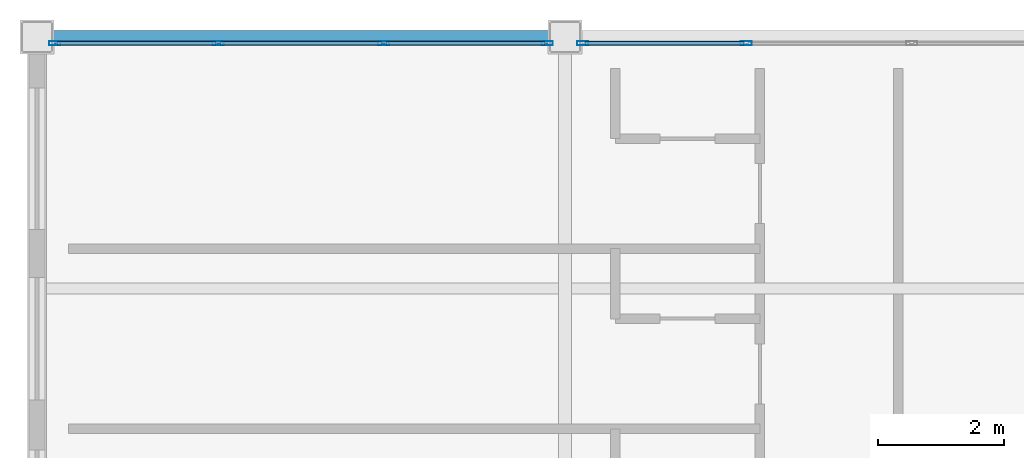
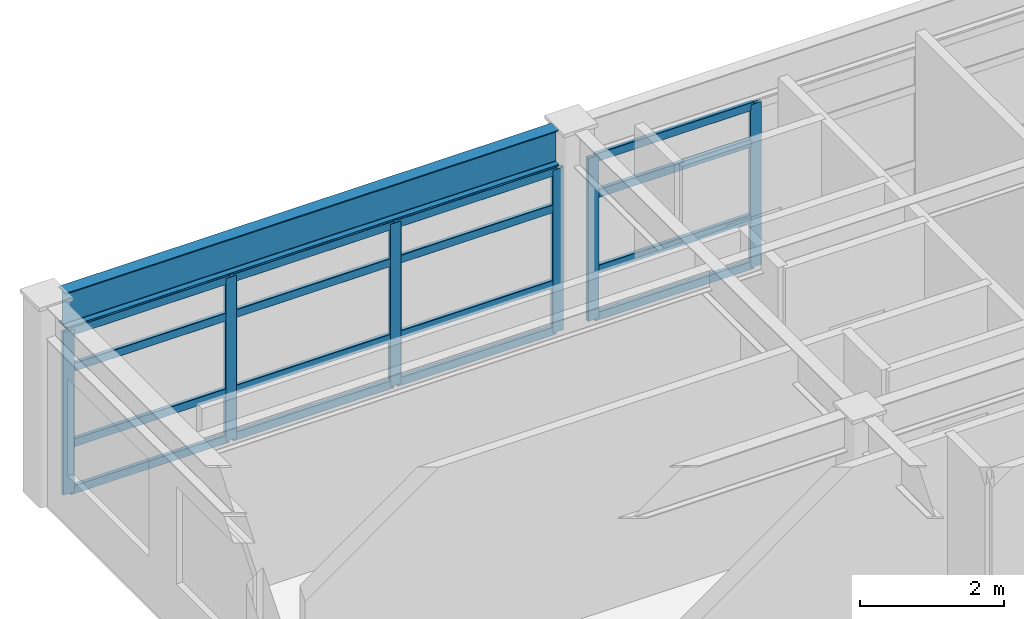
# One storey, part 18 of 33: 22 members, 1 beam, 2 elements without a shape of their own.
"""IFC4 building model written with IfcOpenShell, lengths in metres."""

from ifc_helpers import new_model, si_unit, direction, frame, origin, origin_2d, place, context, subcontext, project, spatial, hollow_rectangle, i_section, extrude, material, layer, layer_set, material_profile, profile_set, type_object, element, aggregate, save


model = new_model("IFC4")

# Units and contexts
model_context = context("Model", 3, precision=1e-05, world=origin(), true_north=direction((0.0, 1.0)))
body_context = subcontext(model_context, "Body", "Model", "MODEL_VIEW")
ifc_project = project(units=[si_unit("LENGTHUNIT", "METRE"), si_unit("AREAUNIT", "SQUARE_METRE"), si_unit("VOLUMEUNIT", "CUBIC_METRE"), si_unit("PLANEANGLEUNIT", "RADIAN"), si_unit("MASSUNIT", "GRAM", prefix="KILO")], contexts=[model_context])

# Site, building, storey
site_placement = place(None, origin())
site = spatial("IfcSite", under=ifc_project, at=site_placement, CompositionType="ELEMENT")
building_placement = place(site_placement, origin())
building = spatial("IfcBuilding", under=site, at=building_placement, Name="Kazehara Bluff Congress Hotel", CompositionType="ELEMENT")
storey_placement = place(building_placement, frame((0.0, 0.0, 39.0)))
storey = spatial("IfcBuildingStorey", under=building, at=storey_placement, Name="L09", CompositionType="ELEMENT", Elevation=39.0)

# Curtain wall, members
ifc_material_1 = material(Name="Anodised aluminium", Category="aluminium")
ifc_layer = layer(ifc_material_1, 0.159912109375)
ifc_layer_set = layer_set([ifc_layer], Name="Anodised aluminium")
curtain_wall_type = type_object("IfcCurtainWallType", Name="TP-CW-185", PredefinedType="NOTDEFINED", material=ifc_layer_set)
curtain_wall_1_placement = place(storey_placement, origin())
curtain_wall_1 = element("IfcCurtainWall", 1, at=curtain_wall_1_placement, inside=storey, type_object=curtain_wall_type, Name="L09 curtain wall CW-185 CW-ENC-V5-L09-14790-9680", PredefinedType="NOTDEFINED")
ifc_material_2 = material(Name="Anodised aluminium", Category="aluminium")
ifc_material_profile_1 = material_profile(ifc_material_2, hollow_rectangle(XDim=0.06494140625, YDim=0.179931640625, WallThickness=0.00390625, InnerFilletRadius=0.00390625, OuterFilletRadius=0.008056640625, at=origin_2d()))
ifc_profile_set_1 = profile_set([ifc_material_profile_1], Name="Anodised aluminium")
member_type_1 = type_object("IfcMemberType", Name="TP-CWM-02", PredefinedType="MULLION", material=ifc_profile_set_1)
member_1_placement = place(storey_placement, frame((143.982421875, 96.800048828125, 0.0), z_axis=(0.0, 0.0, 1.0), x_axis=(0.0, 1.0, 0.0)))
member_1 = element("IfcMember", 2, at=member_1_placement, type_object=member_type_1, Name="CW-185 mullion 1", PredefinedType="MULLION", context=body_context, shape_type="SweptSolid", body=[
    extrude(hollow_rectangle(XDim=0.06494140625, YDim=0.179931640625, WallThickness=0.00390625, InnerFilletRadius=0.00390625, OuterFilletRadius=0.008056640625, at=origin_2d()), origin(), (0.0, 0.0, 1.0), 2.7548828125),
])
member_2_placement = place(storey_placement, frame((146.583251953125, 96.800048828125, 0.0), z_axis=(0.0, 0.0, 1.0), x_axis=(0.0, 1.0, 0.0)))
member_2 = element("IfcMember", 3, at=member_2_placement, type_object=member_type_1, Name="CW-185 mullion 2", PredefinedType="MULLION", context=body_context, shape_type="SweptSolid", body=[
    extrude(hollow_rectangle(XDim=0.06494140625, YDim=0.179931640625, WallThickness=0.00390625, InnerFilletRadius=0.00390625, OuterFilletRadius=0.008056640625, at=origin_2d()), origin(), (0.0, 0.0, 1.0), 2.7548828125),
])
member_3_placement = place(storey_placement, frame((149.216552734375, 96.800048828125, 0.0), z_axis=(0.0, 0.0, 1.0), x_axis=(0.0, 1.0, 0.0)))
member_3 = element("IfcMember", 4, at=member_3_placement, type_object=member_type_1, Name="CW-185 mullion 3", PredefinedType="MULLION", context=body_context, shape_type="SweptSolid", body=[
    extrude(hollow_rectangle(XDim=0.06494140625, YDim=0.179931640625, WallThickness=0.00390625, InnerFilletRadius=0.00390625, OuterFilletRadius=0.008056640625, at=origin_2d()), origin(), (0.0, 0.0, 1.0), 2.7548828125),
])
member_4_placement = place(storey_placement, frame((151.8173828125, 96.800048828125, 0.0), z_axis=(0.0, 0.0, 1.0), x_axis=(0.0, 1.0, 0.0)))
member_4 = element("IfcMember", 5, at=member_4_placement, type_object=member_type_1, Name="CW-185 mullion 4", PredefinedType="MULLION", context=body_context, shape_type="SweptSolid", body=[
    extrude(hollow_rectangle(XDim=0.06494140625, YDim=0.179931640625, WallThickness=0.00390625, InnerFilletRadius=0.00390625, OuterFilletRadius=0.008056640625, at=origin_2d()), origin(), (0.0, 0.0, 1.0), 2.7548828125),
])

curtain_wall_2_placement = place(storey_placement, origin())
curtain_wall_2 = element("IfcCurtainWall", 6, at=curtain_wall_2_placement, inside=storey, type_object=curtain_wall_type, Name="L09 curtain wall CW-185 CW-ENC-V5-L09-15630-9680", PredefinedType="NOTDEFINED")
member_5_placement = place(storey_placement, frame((152.382568359375, 96.800048828125, 0.0), z_axis=(0.0, 0.0, 1.0), x_axis=(0.0, 1.0, 0.0)))
member_5 = element("IfcMember", 7, at=member_5_placement, type_object=member_type_1, Name="CW-185 mullion 1", PredefinedType="MULLION", context=body_context, shape_type="SweptSolid", body=[
    extrude(hollow_rectangle(XDim=0.06494140625, YDim=0.179931640625, WallThickness=0.00390625, InnerFilletRadius=0.00390625, OuterFilletRadius=0.008056640625, at=origin_2d()), origin(), (0.0, 0.0, 1.0), 2.7548828125),
])
member_6_placement = place(storey_placement, frame((154.9833984375, 96.800048828125, 0.0), z_axis=(0.0, 0.0, 1.0), x_axis=(0.0, 1.0, 0.0)))
member_6 = element("IfcMember", 8, at=member_6_placement, type_object=member_type_1, Name="CW-185 mullion 2", PredefinedType="MULLION", context=body_context, shape_type="SweptSolid", body=[
    extrude(hollow_rectangle(XDim=0.06494140625, YDim=0.179931640625, WallThickness=0.00390625, InnerFilletRadius=0.00390625, OuterFilletRadius=0.008056640625, at=origin_2d()), origin(), (0.0, 0.0, 1.0), 2.7548828125),
])

# Member
ifc_material_3 = material(Name="Anodised aluminium", Category="aluminium")
ifc_material_profile_2 = material_profile(ifc_material_3, hollow_rectangle(XDim=0.06494140625, YDim=0.139892578125, WallThickness=0.00390625, InnerFilletRadius=0.00390625, OuterFilletRadius=0.008056640625, at=origin_2d()))
ifc_profile_set_2 = profile_set([ifc_material_profile_2], Name="Anodised aluminium")
member_type_2 = type_object("IfcMemberType", Name="TP-CWT-02", PredefinedType="USERDEFINED", material=ifc_profile_set_2)
member_7_placement = place(storey_placement, frame((144.014892578125, 96.800048828125, 0.032470703125), z_axis=(1.0, 0.0, 0.0), x_axis=(0.0, 1.0, 0.0)))
member_7 = element("IfcMember", 9, at=member_7_placement, type_object=member_type_2, Name="CW-185 transom 1.1", ObjectType="TRANSOM", PredefinedType="USERDEFINED", context=body_context, shape_type="SweptSolid", body=[
    extrude(hollow_rectangle(XDim=0.06494140625, YDim=0.139892578125, WallThickness=0.00390625, InnerFilletRadius=0.00390625, OuterFilletRadius=0.008056640625, at=origin_2d()), origin(), (0.0, 0.0, 1.0), 2.535888671875),
])

member_8_placement = place(storey_placement, frame((144.014892578125, 96.800048828125, 0.824951171875), z_axis=(1.0, 0.0, 0.0), x_axis=(0.0, 1.0, 0.0)))
member_8 = element("IfcMember", 10, at=member_8_placement, type_object=member_type_2, Name="CW-185 transom 1.2", ObjectType="TRANSOM", PredefinedType="USERDEFINED", context=body_context, shape_type="SweptSolid", body=[
    extrude(hollow_rectangle(XDim=0.06494140625, YDim=0.139892578125, WallThickness=0.00390625, InnerFilletRadius=0.00390625, OuterFilletRadius=0.008056640625, at=origin_2d()), origin(), (0.0, 0.0, 1.0), 2.535888671875),
])

member_9_placement = place(storey_placement, frame((144.014892578125, 96.800048828125, 2.10498046875), z_axis=(1.0, 0.0, 0.0), x_axis=(0.0, 1.0, 0.0)))
member_9 = element("IfcMember", 11, at=member_9_placement, type_object=member_type_2, Name="CW-185 transom 1.3", ObjectType="TRANSOM", PredefinedType="USERDEFINED", context=body_context, shape_type="SweptSolid", body=[
    extrude(hollow_rectangle(XDim=0.06494140625, YDim=0.139892578125, WallThickness=0.00390625, InnerFilletRadius=0.00390625, OuterFilletRadius=0.008056640625, at=origin_2d()), origin(), (0.0, 0.0, 1.0), 2.535888671875),
])

member_10_placement = place(storey_placement, frame((144.014892578125, 96.800048828125, 2.722412109375), z_axis=(1.0, 0.0, 0.0), x_axis=(0.0, 1.0, 0.0)))
member_10 = element("IfcMember", 12, at=member_10_placement, type_object=member_type_2, Name="CW-185 transom 1.4", ObjectType="TRANSOM", PredefinedType="USERDEFINED", context=body_context, shape_type="SweptSolid", body=[
    extrude(hollow_rectangle(XDim=0.06494140625, YDim=0.139892578125, WallThickness=0.00390625, InnerFilletRadius=0.00390625, OuterFilletRadius=0.008056640625, at=origin_2d()), origin(), (0.0, 0.0, 1.0), 2.535888671875),
])

member_11_placement = place(storey_placement, frame((146.61572265625, 96.800048828125, 0.032470703125), z_axis=(1.0, 0.0, 0.0), x_axis=(0.0, 1.0, 0.0)))
member_11 = element("IfcMember", 13, at=member_11_placement, type_object=member_type_2, Name="CW-185 transom 2.1", ObjectType="TRANSOM", PredefinedType="USERDEFINED", context=body_context, shape_type="SweptSolid", body=[
    extrude(hollow_rectangle(XDim=0.06494140625, YDim=0.139892578125, WallThickness=0.00390625, InnerFilletRadius=0.00390625, OuterFilletRadius=0.008056640625, at=origin_2d()), origin(), (0.0, 0.0, 1.0), 2.568359375),
])

member_12_placement = place(storey_placement, frame((146.61572265625, 96.800048828125, 0.824951171875), z_axis=(1.0, 0.0, 0.0), x_axis=(0.0, 1.0, 0.0)))
member_12 = element("IfcMember", 14, at=member_12_placement, type_object=member_type_2, Name="CW-185 transom 2.2", ObjectType="TRANSOM", PredefinedType="USERDEFINED", context=body_context, shape_type="SweptSolid", body=[
    extrude(hollow_rectangle(XDim=0.06494140625, YDim=0.139892578125, WallThickness=0.00390625, InnerFilletRadius=0.00390625, OuterFilletRadius=0.008056640625, at=origin_2d()), origin(), (0.0, 0.0, 1.0), 2.568359375),
])

member_13_placement = place(storey_placement, frame((146.61572265625, 96.800048828125, 2.10498046875), z_axis=(1.0, 0.0, 0.0), x_axis=(0.0, 1.0, 0.0)))
member_13 = element("IfcMember", 15, at=member_13_placement, type_object=member_type_2, Name="CW-185 transom 2.3", ObjectType="TRANSOM", PredefinedType="USERDEFINED", context=body_context, shape_type="SweptSolid", body=[
    extrude(hollow_rectangle(XDim=0.06494140625, YDim=0.139892578125, WallThickness=0.00390625, InnerFilletRadius=0.00390625, OuterFilletRadius=0.008056640625, at=origin_2d()), origin(), (0.0, 0.0, 1.0), 2.568359375),
])

member_14_placement = place(storey_placement, frame((146.61572265625, 96.800048828125, 2.722412109375), z_axis=(1.0, 0.0, 0.0), x_axis=(0.0, 1.0, 0.0)))
member_14 = element("IfcMember", 16, at=member_14_placement, type_object=member_type_2, Name="CW-185 transom 2.4", ObjectType="TRANSOM", PredefinedType="USERDEFINED", context=body_context, shape_type="SweptSolid", body=[
    extrude(hollow_rectangle(XDim=0.06494140625, YDim=0.139892578125, WallThickness=0.00390625, InnerFilletRadius=0.00390625, OuterFilletRadius=0.008056640625, at=origin_2d()), origin(), (0.0, 0.0, 1.0), 2.568359375),
])

member_15_placement = place(storey_placement, frame((149.249267578125, 96.800048828125, 0.032470703125), z_axis=(1.0, 0.0, 0.0), x_axis=(0.0, 1.0, 0.0)))
member_15 = element("IfcMember", 17, at=member_15_placement, type_object=member_type_2, Name="CW-185 transom 3.1", ObjectType="TRANSOM", PredefinedType="USERDEFINED", context=body_context, shape_type="SweptSolid", body=[
    extrude(hollow_rectangle(XDim=0.06494140625, YDim=0.139892578125, WallThickness=0.00390625, InnerFilletRadius=0.00390625, OuterFilletRadius=0.008056640625, at=origin_2d()), origin(), (0.0, 0.0, 1.0), 2.53564453125),
])

member_16_placement = place(storey_placement, frame((149.249267578125, 96.800048828125, 0.824951171875), z_axis=(1.0, 0.0, 0.0), x_axis=(0.0, 1.0, 0.0)))
member_16 = element("IfcMember", 18, at=member_16_placement, type_object=member_type_2, Name="CW-185 transom 3.2", ObjectType="TRANSOM", PredefinedType="USERDEFINED", context=body_context, shape_type="SweptSolid", body=[
    extrude(hollow_rectangle(XDim=0.06494140625, YDim=0.139892578125, WallThickness=0.00390625, InnerFilletRadius=0.00390625, OuterFilletRadius=0.008056640625, at=origin_2d()), origin(), (0.0, 0.0, 1.0), 2.53564453125),
])

member_17_placement = place(storey_placement, frame((149.249267578125, 96.800048828125, 2.10498046875), z_axis=(1.0, 0.0, 0.0), x_axis=(0.0, 1.0, 0.0)))
member_17 = element("IfcMember", 19, at=member_17_placement, type_object=member_type_2, Name="CW-185 transom 3.3", ObjectType="TRANSOM", PredefinedType="USERDEFINED", context=body_context, shape_type="SweptSolid", body=[
    extrude(hollow_rectangle(XDim=0.06494140625, YDim=0.139892578125, WallThickness=0.00390625, InnerFilletRadius=0.00390625, OuterFilletRadius=0.008056640625, at=origin_2d()), origin(), (0.0, 0.0, 1.0), 2.53564453125),
])

member_18_placement = place(storey_placement, frame((149.249267578125, 96.800048828125, 2.722412109375), z_axis=(1.0, 0.0, 0.0), x_axis=(0.0, 1.0, 0.0)))
member_18 = element("IfcMember", 20, at=member_18_placement, type_object=member_type_2, Name="CW-185 transom 3.4", ObjectType="TRANSOM", PredefinedType="USERDEFINED", context=body_context, shape_type="SweptSolid", body=[
    extrude(hollow_rectangle(XDim=0.06494140625, YDim=0.139892578125, WallThickness=0.00390625, InnerFilletRadius=0.00390625, OuterFilletRadius=0.008056640625, at=origin_2d()), origin(), (0.0, 0.0, 1.0), 2.53564453125),
])

aggregate(curtain_wall_1, [member_1, member_2, member_3, member_4, member_7, member_8, member_9, member_10, member_11, member_12, member_13, member_14, member_15, member_16, member_17, member_18])

member_19_placement = place(storey_placement, frame((152.4150390625, 96.800048828125, 0.032470703125), z_axis=(1.0, 0.0, 0.0), x_axis=(0.0, 1.0, 0.0)))
member_19 = element("IfcMember", 21, at=member_19_placement, type_object=member_type_2, Name="CW-185 transom 1.1", ObjectType="TRANSOM", PredefinedType="USERDEFINED", context=body_context, shape_type="SweptSolid", body=[
    extrude(hollow_rectangle(XDim=0.06494140625, YDim=0.139892578125, WallThickness=0.00390625, InnerFilletRadius=0.00390625, OuterFilletRadius=0.008056640625, at=origin_2d()), origin(), (0.0, 0.0, 1.0), 2.535888671875),
])

member_20_placement = place(storey_placement, frame((152.4150390625, 96.800048828125, 0.824951171875), z_axis=(1.0, 0.0, 0.0), x_axis=(0.0, 1.0, 0.0)))
member_20 = element("IfcMember", 22, at=member_20_placement, type_object=member_type_2, Name="CW-185 transom 1.2", ObjectType="TRANSOM", PredefinedType="USERDEFINED", context=body_context, shape_type="SweptSolid", body=[
    extrude(hollow_rectangle(XDim=0.06494140625, YDim=0.139892578125, WallThickness=0.00390625, InnerFilletRadius=0.00390625, OuterFilletRadius=0.008056640625, at=origin_2d()), origin(), (0.0, 0.0, 1.0), 2.535888671875),
])

member_21_placement = place(storey_placement, frame((152.4150390625, 96.800048828125, 2.10498046875), z_axis=(1.0, 0.0, 0.0), x_axis=(0.0, 1.0, 0.0)))
member_21 = element("IfcMember", 23, at=member_21_placement, type_object=member_type_2, Name="CW-185 transom 1.3", ObjectType="TRANSOM", PredefinedType="USERDEFINED", context=body_context, shape_type="SweptSolid", body=[
    extrude(hollow_rectangle(XDim=0.06494140625, YDim=0.139892578125, WallThickness=0.00390625, InnerFilletRadius=0.00390625, OuterFilletRadius=0.008056640625, at=origin_2d()), origin(), (0.0, 0.0, 1.0), 2.535888671875),
])

member_22_placement = place(storey_placement, frame((152.4150390625, 96.800048828125, 2.722412109375), z_axis=(1.0, 0.0, 0.0), x_axis=(0.0, 1.0, 0.0)))
member_22 = element("IfcMember", 24, at=member_22_placement, type_object=member_type_2, Name="CW-185 transom 1.4", ObjectType="TRANSOM", PredefinedType="USERDEFINED", context=body_context, shape_type="SweptSolid", body=[
    extrude(hollow_rectangle(XDim=0.06494140625, YDim=0.139892578125, WallThickness=0.00390625, InnerFilletRadius=0.00390625, OuterFilletRadius=0.008056640625, at=origin_2d()), origin(), (0.0, 0.0, 1.0), 2.535888671875),
])

aggregate(curtain_wall_2, [member_5, member_6, member_19, member_20, member_21, member_22])

# Beam
ifc_material_4 = material(Name="Steel SN490B", Category="steel")
ifc_material_profile_3 = material_profile(ifc_material_4, i_section(OverallWidth=0.199951171875, OverallDepth=0.60009765625, WebThickness=0.010986328125, FlangeThickness=0.01708984375, FilletRadius=0.012939453125, at=origin_2d()))
ifc_profile_set_3 = profile_set([ifc_material_profile_3], Name="Steel SN490B")
beam_type = type_object("IfcBeamType", Name="TP-G-02", PredefinedType="BEAM", material=ifc_profile_set_3)
beam_placement = place(storey_placement, frame((143.949951171875, 96.89990234375, 3.080078125), z_axis=(1.0, 0.0, 0.0), x_axis=(0.0, 1.0, 0.0)))
element("IfcBeam", 25, at=beam_placement, inside=storey, type_object=beam_type, Name="L09 girder G-02 65", PredefinedType="BEAM", context=body_context, shape_type="SweptSolid", body=[
    extrude(i_section(OverallWidth=0.199951171875, OverallDepth=0.60009765625, WebThickness=0.010986328125, FlangeThickness=0.01708984375, FilletRadius=0.012939453125, at=origin_2d()), origin(), (0.0, 0.0, 1.0), 7.900146484375),
])

save(model, "model.ifc")
